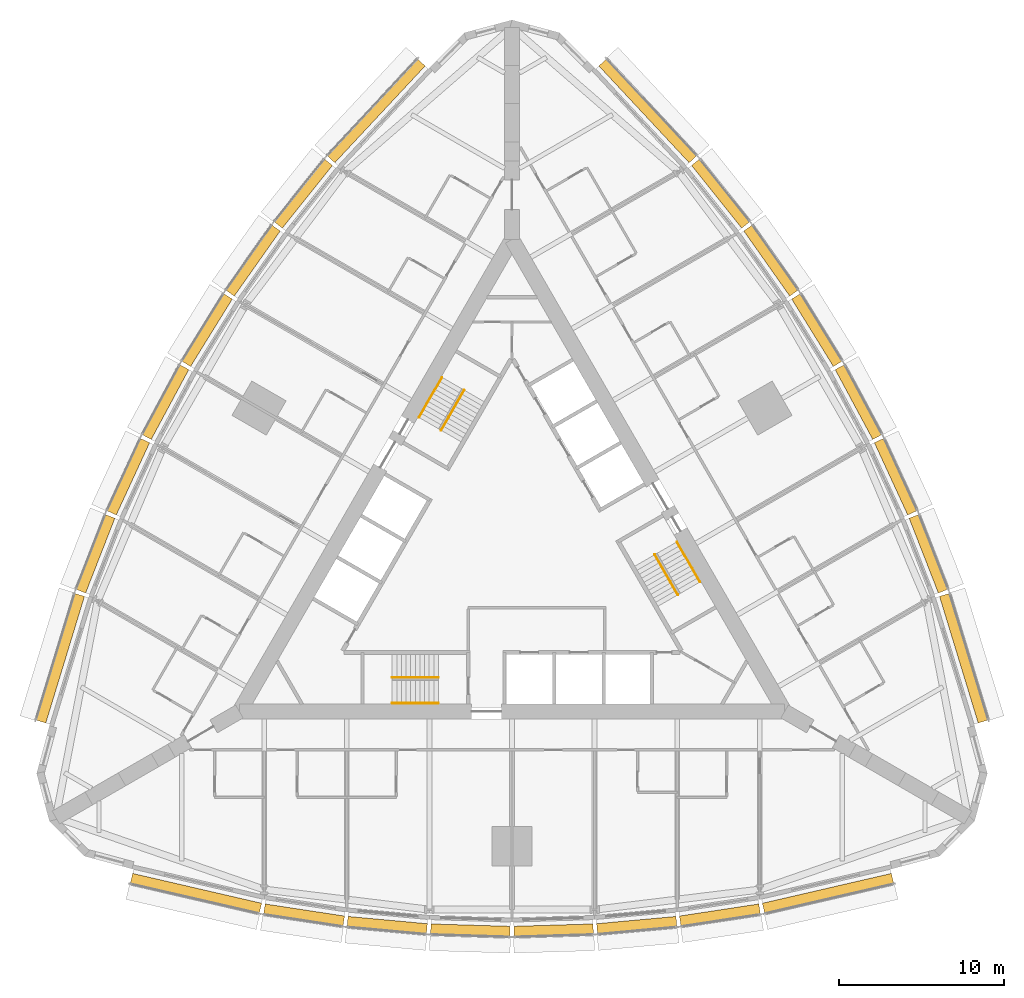
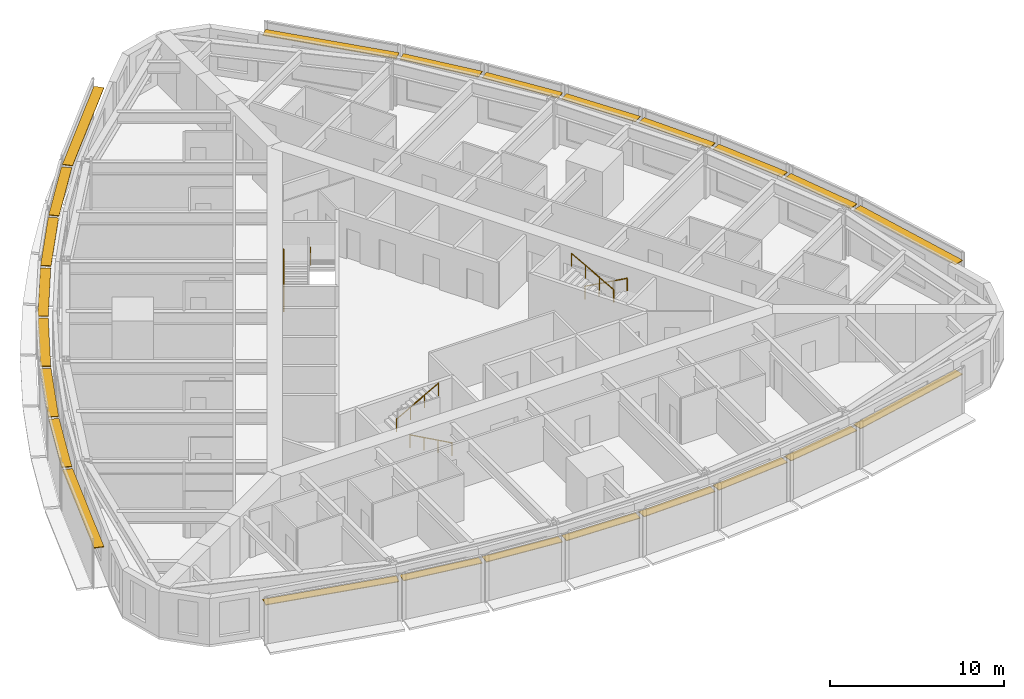
# One storey, part 14 of 14: 24 shading devices, 6 railings.
"""IFC4 building model written with IfcOpenShell, lengths in metres."""

from ifc_helpers import new_model, si_unit, direction, frame, origin, origin_2d, place, context, subcontext, project, spatial, rectangle, circle, extrude, material, type_object, element, save


model = new_model("IFC4")

# Units and contexts
model_context = context("Model", 3, precision=1e-05, world=origin(), true_north=direction((0.0, 1.0)))
body_context = subcontext(model_context, "Body", "Model", "MODEL_VIEW")
ifc_project = project(units=[si_unit("LENGTHUNIT", "METRE"), si_unit("AREAUNIT", "SQUARE_METRE"), si_unit("VOLUMEUNIT", "CUBIC_METRE"), si_unit("PLANEANGLEUNIT", "RADIAN"), si_unit("MASSUNIT", "GRAM", prefix="KILO")], contexts=[model_context])

# Site, building, storey
site_placement = place(None, origin())
site = spatial("IfcSite", under=ifc_project, at=site_placement, CompositionType="ELEMENT")
building_placement = place(site_placement, origin())
building = spatial("IfcBuilding", under=site, at=building_placement, Name="Trikona Tower", CompositionType="ELEMENT")
storey_placement = place(building_placement, frame((0.0, 0.0, 38.699951171875)))
storey = spatial("IfcBuildingStorey", under=building, at=storey_placement, Name="L08", CompositionType="ELEMENT", Elevation=38.699951171875)

# Shading devices
ifc_material_1 = material(Name="Aluminium louvre blade, pale anodised", Category="aluminium")
shading_device_type = type_object("IfcShadingDeviceType", Name="Cavity louvre 600", PredefinedType="USERDEFINED", material=ifc_material_1)
shading_device_1_placement = place(storey_placement, frame((-19.126220703125, -20.5234375, 2.77490234375), z_axis=(0.0, 0.0, 1.0), x_axis=(0.974277718622, -0.225350675607, 0.0)))
element("IfcShadingDevice", 1, at=shading_device_1_placement, inside=storey, type_object=shading_device_type, Name="Cavity louvre L08-00", ObjectType="LOUVRE", PredefinedType="USERDEFINED", context=body_context, shape_type="SweptSolid", body=[
    extrude(rectangle(XDim=8.01123046875, YDim=0.60009765625, at=origin_2d()), origin(), (0.0, 0.0, 1.0), 0.050048828125),
])
shading_device_2_placement = place(storey_placement, frame((-12.584228515625, -21.837158203125, 2.77490234375), z_axis=(0.0, 0.0, 1.0), x_axis=(0.988617896768, -0.150448177754, 0.0)))
element("IfcShadingDevice", 2, at=shading_device_2_placement, inside=storey, type_object=shading_device_type, Name="Cavity louvre L08-01", ObjectType="LOUVRE", PredefinedType="USERDEFINED", context=body_context, shape_type="SweptSolid", body=[
    extrude(rectangle(XDim=4.857666015625, YDim=0.60009765625, at=origin_2d()), origin(), (0.0, 0.0, 1.0), 0.050048828125),
])
shading_device_3_placement = place(storey_placement, frame((-7.55078125, -22.44970703125, 2.77490234375), z_axis=(0.0, 0.0, 1.0), x_axis=(0.995858098326, -0.090921108655, 0.0)))
element("IfcShadingDevice", 3, at=shading_device_3_placement, inside=storey, type_object=shading_device_type, Name="Cavity louvre L08-02", ObjectType="LOUVRE", PredefinedType="USERDEFINED", context=body_context, shape_type="SweptSolid", body=[
    extrude(rectangle(XDim=4.82080078125, YDim=0.60009765625, at=origin_2d()), origin(), (0.0, 0.0, 1.0), 0.050048828125),
])
for number, where, z_axis, x_axis, name in (
    (4, (-2.51708984375, -22.756103515625, 2.77490234375), (0.0, 0.0, 1.0), (0.999537048889, -0.030425119525, 0.0), "Cavity louvre L08-03"),
    (5, (2.51708984375, -22.756103515625, 2.77490234375), (0.0, 0.0, 1.0), (0.999537048889, 0.030425119525, 0.0), "Cavity louvre L08-04"),
):
    element("IfcShadingDevice", number, at=place(storey_placement, frame(where, z_axis=z_axis, x_axis=x_axis)), inside=storey, type_object=shading_device_type, Name=name, ObjectType="LOUVRE", PredefinedType="USERDEFINED", context=body_context, shape_type="SweptSolid", body=[
        extrude(rectangle(XDim=4.80224609375, YDim=0.60009765625, at=origin_2d()), origin(), (0.0, 0.0, 1.0), 0.050048828125),
    ])
shading_device_4_placement = place(storey_placement, frame((7.55078125, -22.44970703125, 2.77490234375), z_axis=(0.0, 0.0, 1.0), x_axis=(0.995858098326, 0.090921108655, 0.0)))
element("IfcShadingDevice", 6, at=shading_device_4_placement, inside=storey, type_object=shading_device_type, Name="Cavity louvre L08-05", ObjectType="LOUVRE", PredefinedType="USERDEFINED", context=body_context, shape_type="SweptSolid", body=[
    extrude(rectangle(XDim=4.82080078125, YDim=0.60009765625, at=origin_2d()), origin(), (0.0, 0.0, 1.0), 0.050048828125),
])
shading_device_5_placement = place(storey_placement, frame((12.584228515625, -21.837158203125, 2.77490234375), z_axis=(0.0, 0.0, 1.0), x_axis=(0.988617896768, 0.150448177754, 0.0)))
element("IfcShadingDevice", 7, at=shading_device_5_placement, inside=storey, type_object=shading_device_type, Name="Cavity louvre L08-06", ObjectType="LOUVRE", PredefinedType="USERDEFINED", context=body_context, shape_type="SweptSolid", body=[
    extrude(rectangle(XDim=4.857666015625, YDim=0.60009765625, at=origin_2d()), origin(), (0.0, 0.0, 1.0), 0.050048828125),
])
for number, where, z_axis, x_axis, name in (
    (8, (19.126220703125, -20.5234375, 2.77490234375), (0.0, 0.0, 1.0), (0.974277718622, 0.225350675607, 0.0), "Cavity louvre L08-07"),
    (9, (27.3369140625, -6.302001953125, 2.77490234375), (0.0, 0.0, 1.0), (-0.291979449475, 0.956424592471, 0.0), "Cavity louvre L08-12"),
):
    element("IfcShadingDevice", number, at=place(storey_placement, frame(where, z_axis=z_axis, x_axis=x_axis)), inside=storey, type_object=shading_device_type, Name=name, ObjectType="LOUVRE", PredefinedType="USERDEFINED", context=body_context, shape_type="SweptSolid", body=[
        extrude(rectangle(XDim=8.01123046875, YDim=0.60009765625, at=origin_2d()), origin(), (0.0, 0.0, 1.0), 0.050048828125),
    ])
shading_device_6_placement = place(storey_placement, frame((25.20361328125, 0.020263671875, 2.77490234375), z_axis=(0.0, 0.0, 1.0), x_axis=(-0.364008876551, 0.931395478726, 0.0)))
element("IfcShadingDevice", 10, at=shading_device_6_placement, inside=storey, type_object=shading_device_type, Name="Cavity louvre L08-13", ObjectType="LOUVRE", PredefinedType="USERDEFINED", context=body_context, shape_type="SweptSolid", body=[
    extrude(rectangle(XDim=4.857666015625, YDim=0.60009765625, at=origin_2d()), origin(), (0.0, 0.0, 1.0), 0.050048828125),
])
shading_device_7_placement = place(storey_placement, frame((23.217529296875, 4.685546875, 2.77490234375), z_axis=(0.0, 0.0, 1.0), x_axis=(-0.41919381307, 0.907896771161, 0.0)))
element("IfcShadingDevice", 11, at=shading_device_7_placement, inside=storey, type_object=shading_device_type, Name="Cavity louvre L08-14", ObjectType="LOUVRE", PredefinedType="USERDEFINED", context=body_context, shape_type="SweptSolid", body=[
    extrude(rectangle(XDim=4.82080078125, YDim=0.60009765625, at=origin_2d()), origin(), (0.0, 0.0, 1.0), 0.050048828125),
])
for number, where, z_axis, x_axis, name in (
    (12, (20.966064453125, 9.1982421875, 2.77490234375), (0.0, 0.0, 1.0), (-0.473422672721, 0.880835383572, 0.0), "Cavity louvre L08-15"),
    (13, (18.448974609375, 13.557861328125, 2.77490234375), (0.0, 0.0, 1.0), (-0.526118935114, 0.85041099835, 0.0), "Cavity louvre L08-16"),
):
    element("IfcShadingDevice", number, at=place(storey_placement, frame(where, z_axis=z_axis, x_axis=x_axis)), inside=storey, type_object=shading_device_type, Name=name, ObjectType="LOUVRE", PredefinedType="USERDEFINED", context=body_context, shape_type="SweptSolid", body=[
        extrude(rectangle(XDim=4.80224609375, YDim=0.60009765625, at=origin_2d()), origin(), (0.0, 0.0, 1.0), 0.050048828125),
    ])
shading_device_8_placement = place(storey_placement, frame((15.666748046875, 17.76416015625, 2.77490234375), z_axis=(0.0, 0.0, 1.0), x_axis=(-0.576661909499, 0.816982889743, 0.0)))
element("IfcShadingDevice", 14, at=shading_device_8_placement, inside=storey, type_object=shading_device_type, Name="Cavity louvre L08-17", ObjectType="LOUVRE", PredefinedType="USERDEFINED", context=body_context, shape_type="SweptSolid", body=[
    extrude(rectangle(XDim=4.82080078125, YDim=0.60009765625, at=origin_2d()), origin(), (0.0, 0.0, 1.0), 0.050048828125),
])
shading_device_9_placement = place(storey_placement, frame((12.619384765625, 21.81689453125, 2.77490234375), z_axis=(0.0, 0.0, 1.0), x_axis=(-0.624603618277, 0.780941944087, 0.0)))
element("IfcShadingDevice", 15, at=shading_device_9_placement, inside=storey, type_object=shading_device_type, Name="Cavity louvre L08-18", ObjectType="LOUVRE", PredefinedType="USERDEFINED", context=body_context, shape_type="SweptSolid", body=[
    extrude(rectangle(XDim=4.857666015625, YDim=0.60009765625, at=origin_2d()), origin(), (0.0, 0.0, 1.0), 0.050048828125),
])
for number, where, z_axis, x_axis, name in (
    (16, (8.210693359375, 26.825439453125, 2.77490234375), (0.0, 0.0, 1.0), (-0.682298269147, 0.731073916864, 0.0), "Cavity louvre L08-19"),
    (17, (-8.210693359375, 26.825439453125, 2.77490234375), (0.0, 0.0, 1.0), (-0.682298269147, -0.731073916864, 0.0), "Cavity louvre L08-24"),
):
    element("IfcShadingDevice", number, at=place(storey_placement, frame(where, z_axis=z_axis, x_axis=x_axis)), inside=storey, type_object=shading_device_type, Name=name, ObjectType="LOUVRE", PredefinedType="USERDEFINED", context=body_context, shape_type="SweptSolid", body=[
        extrude(rectangle(XDim=8.01123046875, YDim=0.60009765625, at=origin_2d()), origin(), (0.0, 0.0, 1.0), 0.050048828125),
    ])
shading_device_10_placement = place(storey_placement, frame((-12.619384765625, 21.81689453125, 2.77490234375), z_axis=(0.0, 0.0, 1.0), x_axis=(-0.624603618277, -0.780941944087, 0.0)))
element("IfcShadingDevice", 18, at=shading_device_10_placement, inside=storey, type_object=shading_device_type, Name="Cavity louvre L08-25", ObjectType="LOUVRE", PredefinedType="USERDEFINED", context=body_context, shape_type="SweptSolid", body=[
    extrude(rectangle(XDim=4.857666015625, YDim=0.60009765625, at=origin_2d()), origin(), (0.0, 0.0, 1.0), 0.050048828125),
])
shading_device_11_placement = place(storey_placement, frame((-15.666748046875, 17.76416015625, 2.77490234375), z_axis=(0.0, 0.0, 1.0), x_axis=(-0.576661909499, -0.816982889743, 0.0)))
element("IfcShadingDevice", 19, at=shading_device_11_placement, inside=storey, type_object=shading_device_type, Name="Cavity louvre L08-26", ObjectType="LOUVRE", PredefinedType="USERDEFINED", context=body_context, shape_type="SweptSolid", body=[
    extrude(rectangle(XDim=4.82080078125, YDim=0.60009765625, at=origin_2d()), origin(), (0.0, 0.0, 1.0), 0.050048828125),
])
for number, where, z_axis, x_axis, name in (
    (20, (-18.448974609375, 13.557861328125, 2.77490234375), (0.0, 0.0, 1.0), (-0.526118935114, -0.85041099835, 0.0), "Cavity louvre L08-27"),
    (21, (-20.966064453125, 9.1982421875, 2.77490234375), (0.0, 0.0, 1.0), (-0.473422672721, -0.880835383572, 0.0), "Cavity louvre L08-28"),
):
    element("IfcShadingDevice", number, at=place(storey_placement, frame(where, z_axis=z_axis, x_axis=x_axis)), inside=storey, type_object=shading_device_type, Name=name, ObjectType="LOUVRE", PredefinedType="USERDEFINED", context=body_context, shape_type="SweptSolid", body=[
        extrude(rectangle(XDim=4.80224609375, YDim=0.60009765625, at=origin_2d()), origin(), (0.0, 0.0, 1.0), 0.050048828125),
    ])
shading_device_12_placement = place(storey_placement, frame((-23.217529296875, 4.685546875, 2.77490234375), z_axis=(0.0, 0.0, 1.0), x_axis=(-0.41919381307, -0.907896771161, 0.0)))
element("IfcShadingDevice", 22, at=shading_device_12_placement, inside=storey, type_object=shading_device_type, Name="Cavity louvre L08-29", ObjectType="LOUVRE", PredefinedType="USERDEFINED", context=body_context, shape_type="SweptSolid", body=[
    extrude(rectangle(XDim=4.82080078125, YDim=0.60009765625, at=origin_2d()), origin(), (0.0, 0.0, 1.0), 0.050048828125),
])
shading_device_13_placement = place(storey_placement, frame((-25.20361328125, 0.020263671875, 2.77490234375), z_axis=(0.0, 0.0, 1.0), x_axis=(-0.364008876551, -0.931395478726, 0.0)))
element("IfcShadingDevice", 23, at=shading_device_13_placement, inside=storey, type_object=shading_device_type, Name="Cavity louvre L08-30", ObjectType="LOUVRE", PredefinedType="USERDEFINED", context=body_context, shape_type="SweptSolid", body=[
    extrude(rectangle(XDim=4.857666015625, YDim=0.60009765625, at=origin_2d()), origin(), (0.0, 0.0, 1.0), 0.050048828125),
])
shading_device_14_placement = place(storey_placement, frame((-27.3369140625, -6.302001953125, 2.77490234375), z_axis=(0.0, 0.0, 1.0), x_axis=(-0.291979449475, -0.956424592471, 0.0)))
element("IfcShadingDevice", 24, at=shading_device_14_placement, inside=storey, type_object=shading_device_type, Name="Cavity louvre L08-31", ObjectType="LOUVRE", PredefinedType="USERDEFINED", context=body_context, shape_type="SweptSolid", body=[
    extrude(rectangle(XDim=8.01123046875, YDim=0.60009765625, at=origin_2d()), origin(), (0.0, 0.0, 1.0), 0.050048828125),
])

# Railings
ifc_material_2 = material(Name="Stainless steel handrail", Category="steel")
railing_type = type_object("IfcRailingType", Name="Stair handrail", PredefinedType="HANDRAIL", material=ifc_material_2)
railing_1_placement = place(storey_placement, frame((-4.449951171875, -9.016357421875, 0.154541015625)))
element("IfcRailing", 25, at=railing_1_placement, inside=storey, type_object=railing_type, Name="Stair handrail A L08 1", PredefinedType="HANDRAIL", context=body_context, shape_type="SweptSolid", body=[
    extrude(circle(Radius=0.02392578125, at=origin_2d()), frame((0.0, 0.0, 0.8759765625), z_axis=(-0.875504190374, 0.0, 0.483210526207), x_axis=(0.0, -1.0, 0.0)), (0.0, 0.0, 1.0), 3.1982421875),
    extrude(circle(Radius=0.02099609375, at=origin_2d()), origin(), (0.0, 0.0, 1.0), 0.851806640625),
    extrude(circle(Radius=0.02099609375, at=origin_2d()), frame((-0.933349609375, 0.0, 0.51513671875)), (0.0, 0.0, 1.0), 0.851806640625),
    extrude(circle(Radius=0.02099609375, at=origin_2d()), frame((-1.86669921875, 0.0, 1.0302734375)), (0.0, 0.0, 1.0), 0.851806640625),
    extrude(circle(Radius=0.02099609375, at=origin_2d()), frame((-2.800048828125, 0.0, 1.54541015625)), (0.0, 0.0, 1.0), 0.851806640625),
])
railing_2_placement = place(storey_placement, frame((-7.25, -7.46630859375, 1.8544921875)))
element("IfcRailing", 26, at=railing_2_placement, inside=storey, type_object=railing_type, Name="Stair handrail A L08 2", PredefinedType="HANDRAIL", context=body_context, shape_type="SweptSolid", body=[
    extrude(circle(Radius=0.02392578125, at=origin_2d()), frame((0.0, 0.0, 0.8759765625), z_axis=(0.875471895205, 0.0, 0.483269035534), x_axis=(0.0, 1.0, 0.0)), (0.0, 0.0, 1.0), 3.1982421875),
    extrude(circle(Radius=0.02099609375, at=origin_2d()), origin(), (0.0, 0.0, 1.0), 0.851806640625),
    extrude(circle(Radius=0.02099609375, at=origin_2d()), frame((0.933349609375, 0.0, 0.51513671875)), (0.0, 0.0, 1.0), 0.851806640625),
    extrude(circle(Radius=0.02099609375, at=origin_2d()), frame((1.86669921875, 0.0, 1.030517578125)), (0.0, 0.0, 1.0), 0.851806640625),
    extrude(circle(Radius=0.02099609375, at=origin_2d()), frame((2.800048828125, 0.0, 1.545654296875)), (0.0, 0.0, 1.0), 0.851806640625),
])
railing_3_placement = place(storey_placement, frame((9.9833984375, 0.740966796875, 0.154541015625)))
element("IfcRailing", 27, at=railing_3_placement, inside=storey, type_object=railing_type, Name="Stair handrail B L08 1", PredefinedType="HANDRAIL", context=body_context, shape_type="SweptSolid", body=[
    extrude(circle(Radius=0.02392578125, at=origin_2d()), frame((0.0, 0.0, 0.8759765625), z_axis=(0.437707188162, -0.758239536103, 0.483203087036), x_axis=(0.866056369097, 0.49994636267, 0.0)), (0.0, 0.0, 1.0), 3.1982421875),
    extrude(circle(Radius=0.02099609375, at=origin_2d()), origin(), (0.0, 0.0, 1.0), 0.851806640625),
    extrude(circle(Radius=0.02099609375, at=origin_2d()), frame((0.466552734375, -0.808349609375, 0.51513671875)), (0.0, 0.0, 1.0), 0.851806640625),
    extrude(circle(Radius=0.02099609375, at=origin_2d()), frame((0.933349609375, -1.61669921875, 1.0302734375)), (0.0, 0.0, 1.0), 0.851806640625),
    extrude(circle(Radius=0.02099609375, at=origin_2d()), frame((1.39990234375, -2.425048828125, 1.54541015625)), (0.0, 0.0, 1.0), 0.851806640625),
])
railing_4_placement = place(storey_placement, frame((10.041015625, -2.458984375, 1.8544921875)))
element("IfcRailing", 28, at=railing_4_placement, inside=storey, type_object=railing_type, Name="Stair handrail B L08 2", PredefinedType="HANDRAIL", context=body_context, shape_type="SweptSolid", body=[
    extrude(circle(Radius=0.02392578125, at=origin_2d()), frame((0.0, 0.0, 0.8759765625), z_axis=(-0.437691042731, 0.758211567396, 0.483261596012), x_axis=(-0.866056369097, -0.49994636267, 0.0)), (0.0, 0.0, 1.0), 3.198486328125),
    extrude(circle(Radius=0.02099609375, at=origin_2d()), origin(), (0.0, 0.0, 1.0), 0.851806640625),
    extrude(circle(Radius=0.02099609375, at=origin_2d()), frame((-0.466552734375, 0.808349609375, 0.51513671875)), (0.0, 0.0, 1.0), 0.851806640625),
    extrude(circle(Radius=0.02099609375, at=origin_2d()), frame((-0.933349609375, 1.61669921875, 1.030517578125)), (0.0, 0.0, 1.0), 0.851806640625),
    extrude(circle(Radius=0.02099609375, at=origin_2d()), frame((-1.39990234375, 2.425048828125, 1.545654296875)), (0.0, 0.0, 1.0), 0.851806640625),
])
railing_5_placement = place(storey_placement, frame((-5.63330078125, 8.275390625, 0.154541015625)))
element("IfcRailing", 29, at=railing_5_placement, inside=storey, type_object=railing_type, Name="Stair handrail C L08 1", PredefinedType="HANDRAIL", context=body_context, shape_type="SweptSolid", body=[
    extrude(circle(Radius=0.02392578125, at=origin_2d()), frame((0.0, 0.0, 0.8759765625), z_axis=(0.437732523806, 0.758207085183, 0.483231056102), x_axis=(-0.866034573852, 0.49998411664, 0.0)), (0.0, 0.0, 1.0), 3.197998046875),
    extrude(circle(Radius=0.02099609375, at=origin_2d()), origin(), (0.0, 0.0, 1.0), 0.851806640625),
    extrude(circle(Radius=0.02099609375, at=origin_2d()), frame((0.466552734375, 0.808349609375, 0.51513671875)), (0.0, 0.0, 1.0), 0.851806640625),
    extrude(circle(Radius=0.02099609375, at=origin_2d()), frame((0.933349609375, 1.616455078125, 1.0302734375)), (0.0, 0.0, 1.0), 0.851806640625),
    extrude(circle(Radius=0.02099609375, at=origin_2d()), frame((1.39990234375, 2.4248046875, 1.54541015625)), (0.0, 0.0, 1.0), 0.851806640625),
])
railing_6_placement = place(storey_placement, frame((-2.89111328125, 9.92529296875, 1.8544921875)))
element("IfcRailing", 30, at=railing_6_placement, inside=storey, type_object=railing_type, Name="Stair handrail C L08 2", PredefinedType="HANDRAIL", context=body_context, shape_type="SweptSolid", body=[
    extrude(circle(Radius=0.02392578125, at=origin_2d()), frame((0.0, 0.0, 0.8759765625), z_axis=(-0.437691042731, -0.758211567396, 0.483261596012), x_axis=(0.866056369097, -0.49994636267, 0.0)), (0.0, 0.0, 1.0), 3.198486328125),
    extrude(circle(Radius=0.02099609375, at=origin_2d()), origin(), (0.0, 0.0, 1.0), 0.851806640625),
    extrude(circle(Radius=0.02099609375, at=origin_2d()), frame((-0.466552734375, -0.808349609375, 0.51513671875)), (0.0, 0.0, 1.0), 0.851806640625),
    extrude(circle(Radius=0.02099609375, at=origin_2d()), frame((-0.933349609375, -1.61669921875, 1.030517578125)), (0.0, 0.0, 1.0), 0.851806640625),
    extrude(circle(Radius=0.02099609375, at=origin_2d()), frame((-1.39990234375, -2.425048828125, 1.545654296875)), (0.0, 0.0, 1.0), 0.851806640625),
])

save(model, "model.ifc")
